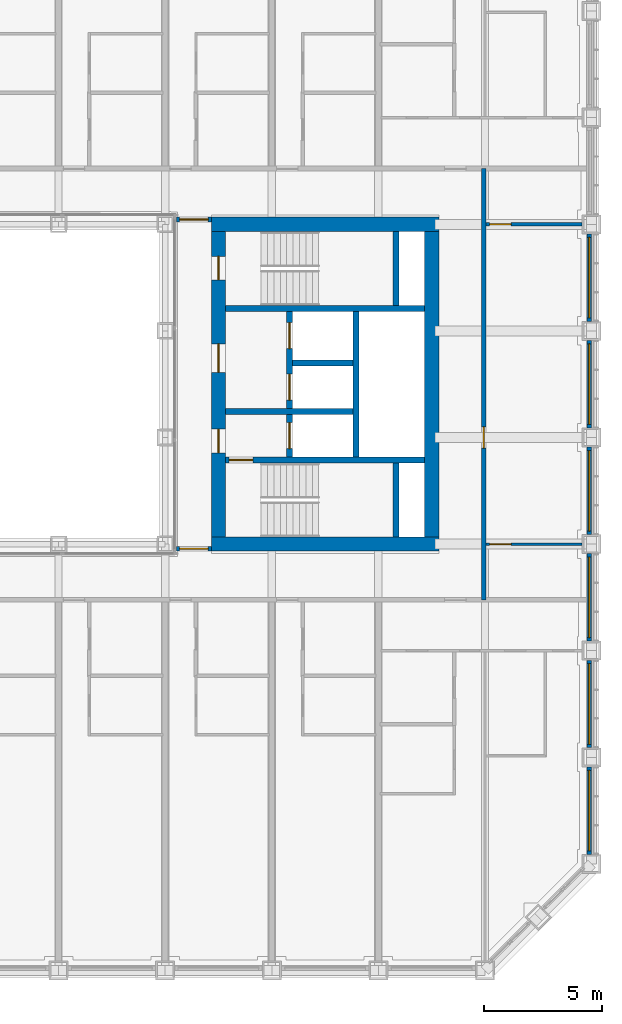
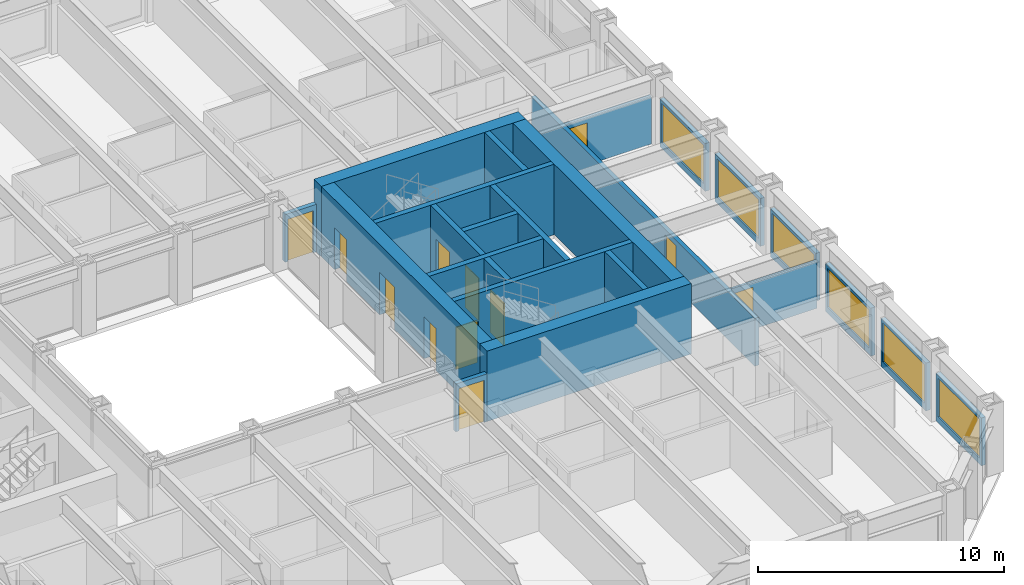
# One storey, part 12 of 21: 23 walls, 12 doors, 6 windows, 18 openings.
"""IFC4 building model written with IfcOpenShell, lengths in metres."""

import ifcopenshell
import ifcopenshell.guid

model = None  # the IFC model being written
_history = None  # IfcOwnerHistory: only IFC2X3 demands one
_inside = {}  # id of a spatial element -> (the spatial element, [elements in it])
_under = {}  # id of a project, library or spatial element -> (it, [spatial elements below it])
_declared = {}  # id of a project -> (the project, [libraries it declares])
_typed = {}  # id of a type object -> (the type object, [elements of that type])
_made_of = {}  # id of a material, layer set ... -> (it, [elements and type objects made of it])


def new_model(schema):
    """Start an empty IFC model of exactly this schema.

    Asked for "IFC4X3", IfcOpenShell would pick the latest addendum, in which some entities
    have other attributes; the version numbers below select the first issue.
    IFC2X3 requires an IfcOwnerHistory on every rooted entity: one is made here for all.
    """
    global model, _history
    if schema == "IFC4X3":
        model = ifcopenshell.file(schema_version=(4, 3, 0, 0))
    else:
        model = ifcopenshell.file(schema=schema)
    _inside.clear()
    _under.clear()
    _declared.clear()
    _typed.clear()
    _made_of.clear()
    _history = None
    if model.schema == "IFC2X3":
        org = make("IfcOrganization", Name="unknown")
        user = make(
            "IfcPersonAndOrganization",
            ThePerson=make("IfcPerson", FamilyName="unknown"),
            TheOrganization=org,
        )
        app = make(
            "IfcApplication",
            ApplicationDeveloper=org,
            Version="unknown",
            ApplicationFullName="unknown",
            ApplicationIdentifier="unknown",
        )
        _history = make(
            "IfcOwnerHistory",
            OwningUser=user,
            OwningApplication=app,
            ChangeAction="ADDED",
            CreationDate=0,
        )
    return model


def make(cls, **values):
    """One entity of the class cls with the attributes given. An attribute that is None is left unset."""
    return model.create_entity(
        cls, **{name: value for name, value in values.items() if value is not None}
    )


def rooted(cls, **values):
    """An entity with a GlobalId (a new one), such as an element, a storey or a relation."""
    return make(cls, GlobalId=ifcopenshell.guid.new(), OwnerHistory=_history, **values)


def si_unit(unit_type, name, prefix=None):
    """IfcSIUnit, for example si_unit("LENGTHUNIT", "METRE", prefix="MILLI")."""
    return make("IfcSIUnit", UnitType=unit_type, Prefix=prefix, Name=name)


def assignment(units):
    """IfcUnitAssignment: the units of a project."""
    return None if units is None else make("IfcUnitAssignment", Units=units)


def point(xyz):
    """IfcCartesianPoint."""
    return None if xyz is None else make("IfcCartesianPoint", Coordinates=xyz)


def direction(xyz):
    """IfcDirection."""
    return None if xyz is None else make("IfcDirection", DirectionRatios=xyz)


def frame(location, z_axis=None, x_axis=None):
    """IfcAxis2Placement3D, a coordinate frame: its origin and axes. An axis left out is left unset."""
    return make(
        "IfcAxis2Placement3D",
        Location=point(location),
        Axis=direction(z_axis),
        RefDirection=direction(x_axis),
    )


def frame_2d(location, x_axis=None):
    """IfcAxis2Placement2D, a coordinate frame in the plane: its origin and x axis."""
    return make(
        "IfcAxis2Placement2D", Location=point(location), RefDirection=direction(x_axis)
    )


def origin():
    """The frame at (0, 0, 0) with its axes left unset."""
    return frame((0.0, 0.0, 0.0))


def place(relative_to, where):
    """IfcLocalPlacement: puts the frame where relative to a parent placement (None: the world)."""
    return make(
        "IfcLocalPlacement", PlacementRelTo=relative_to, RelativePlacement=where
    )


def context(
    kind, dimensions, precision=None, world=None, true_north=None, identifier=None
):
    """IfcGeometricRepresentationContext, for example the 3D "Model" context."""
    return make(
        "IfcGeometricRepresentationContext",
        ContextIdentifier=identifier,
        ContextType=kind,
        CoordinateSpaceDimension=dimensions,
        Precision=precision,
        WorldCoordinateSystem=world,
        TrueNorth=true_north,
    )


def subcontext(parent, identifier, kind, view, scale=None):
    """IfcGeometricRepresentationSubContext, for example "Body" below "Model"."""
    return make(
        "IfcGeometricRepresentationSubContext",
        ContextIdentifier=identifier,
        ContextType=kind,
        ParentContext=parent,
        TargetScale=scale,
        TargetView=view,
    )


def project(units=None, contexts=None):
    """IfcProject with its units and contexts."""
    return rooted(
        "IfcProject",
        Name="project",
        RepresentationContexts=contexts,
        UnitsInContext=assignment(units),
    )


def spatial(cls, under=None, at=None, **own):
    """A site, building, storey or space (cls), placed at a placement, below another one or the project."""
    s = rooted(cls, ObjectPlacement=at, **own)
    if under is not None:
        _under.setdefault(under.id(), (under, []))[1].append(s)
    return s


def profile(cls, at=None, kind="AREA", **sizes):
    """A parametric profile (cls). Its sizes go by their IFC names, for example OverallWidth=200.0."""
    return make(cls, ProfileType=kind, Position=at, **sizes)


def rectangle(**sizes):
    """IfcRectangleProfileDef."""
    return profile("IfcRectangleProfileDef", **sizes)


def extrude(swept, where, along, depth):
    """IfcExtrudedAreaSolid: the profile swept, set in the frame where, extruded along a direction by depth."""
    return make(
        "IfcExtrudedAreaSolid",
        SweptArea=swept,
        Position=where,
        ExtrudedDirection=direction(along),
        Depth=depth,
    )


def shape(context_of_items, identifier, shape_type, items):
    """IfcShapeRepresentation: the items that make up one representation, for example the "Body"."""
    return make(
        "IfcShapeRepresentation",
        ContextOfItems=context_of_items,
        RepresentationIdentifier=identifier,
        RepresentationType=shape_type,
        Items=items,
    )


def material(Name=None, Category=None):
    """IfcMaterial."""
    return make("IfcMaterial", Name=Name, Category=Category)


def layer(
    of_material, thickness, ventilated=None, Name=None, Category=None, Priority=None
):
    """IfcMaterialLayer: one layer of a wall or slab, of a material (None: an air gap)."""
    return make(
        "IfcMaterialLayer",
        Material=of_material,
        LayerThickness=thickness,
        IsVentilated=ventilated,
        Name=Name,
        Category=Category,
        Priority=Priority,
    )


def layer_set(layers, Name=None):
    """IfcMaterialLayerSet."""
    return make("IfcMaterialLayerSet", MaterialLayers=layers, LayerSetName=Name)


def made_of(thing, what):
    """Note that an element or type object is made of a material, layer set ...; save() writes the relation."""
    if what is not None:
        _made_of.setdefault(what.id(), (what, []))[1].append(thing)
    return thing


def type_object(cls, material=None, **own):
    """A type object (cls), such as IfcWallType, which elements share."""
    return made_of(rooted(cls, **own), material)


def element(
    cls,
    number,
    at=None,
    inside=None,
    cuts=None,
    type_object=None,
    material=None,
    context=None,
    identifier="Body",
    shape_type=None,
    held_by="IfcProductDefinitionShape",
    body=None,
    shapes=None,
    **own,
):
    """One element of the class cls, such as IfcWall. Its Tag is "e" and its number.

    at: its placement. inside: the storey or other place that contains it. cuts: it is an
    opening in that element (IfcRelVoidsElement). A single representation is given by context,
    identifier, shape_type and body (its items); several are given by shapes. held_by: the class
    of the entity that holds the representations. save() writes the other relations.
    """
    e = rooted(cls, Tag="e%d" % number, ObjectPlacement=at, **own)
    if body is not None:
        shapes = [shape(context, identifier, shape_type, body)]
    if shapes is not None:
        e.Representation = make(held_by, Representations=shapes)
    if inside is not None:
        _inside.setdefault(inside.id(), (inside, []))[1].append(e)
    if cuts is not None:
        rooted(
            "IfcRelVoidsElement", RelatingBuildingElement=cuts, RelatedOpeningElement=e
        )
    if type_object is not None:
        _typed.setdefault(type_object.id(), (type_object, []))[1].append(e)
    return made_of(e, material)


def fill(opening, filler):
    """IfcRelFillsElement: the door or window that sits in an opening."""
    return rooted(
        "IfcRelFillsElement",
        RelatingOpeningElement=opening,
        RelatedBuildingElement=filler,
    )


def aggregate(whole, parts):
    """IfcRelAggregates: a whole, such as a stair, and the parts it consists of."""
    return rooted("IfcRelAggregates", RelatingObject=whole, RelatedObjects=parts)


def save(model, path):
    """Write the relations noted so far, then the file.

    IfcRelAggregates (storeys below a building ...), IfcRelContainedInSpatialStructure (elements
    in a storey), IfcRelDefinesByType, IfcRelAssociatesMaterial and IfcRelDeclares: one each for
    every whole, place, type object, material and project.
    """
    for whole, parts in _under.values():
        aggregate(whole, parts)
    for where, things in _inside.values():
        rooted(
            "IfcRelContainedInSpatialStructure",
            RelatedElements=things,
            RelatingStructure=where,
        )
    for kind, things in _typed.values():
        rooted("IfcRelDefinesByType", RelatedObjects=things, RelatingType=kind)
    for what, things in _made_of.values():
        rooted("IfcRelAssociatesMaterial", RelatedObjects=things, RelatingMaterial=what)
    for by, libraries in _declared.values():
        rooted("IfcRelDeclares", RelatingContext=by, RelatedDefinitions=libraries)
    model.write(path)


model = new_model("IFC4")

# Units and contexts
model_context = context("Model", 3, precision=1e-05, world=origin(), true_north=direction((0.0, 1.0)))
body_context = subcontext(model_context, "Body", "Model", "MODEL_VIEW")
ifc_project = project(units=[si_unit("LENGTHUNIT", "METRE"), si_unit("AREAUNIT", "SQUARE_METRE"), si_unit("VOLUMEUNIT", "CUBIC_METRE"), si_unit("PLANEANGLEUNIT", "RADIAN"), si_unit("MASSUNIT", "GRAM", prefix="KILO")], contexts=[model_context])

# Site, building, storey
site_placement = place(None, origin())
site = spatial("IfcSite", under=ifc_project, at=site_placement, CompositionType="ELEMENT")
building_placement = place(site_placement, origin())
building = spatial("IfcBuilding", under=site, at=building_placement, Name="Msasa Ring Tower", CompositionType="ELEMENT")
storey_placement = place(building_placement, frame((0.0, 0.0, 33.5)))
storey = spatial("IfcBuildingStorey", under=building, at=storey_placement, Name="L07", CompositionType="ELEMENT", Elevation=33.5)

# Walls
ifc_material_1 = material(Name="Concrete C60/75", Category="concrete")
ifc_layer_1 = layer(ifc_material_1, 0.60009765625)
ifc_layer_set_1 = layer_set([ifc_layer_1], Name="CW1 CORE WALL 600")
wall_type_1 = type_object("IfcWallType", Name="CW1 CORE WALL 600", PredefinedType="SHEAR", material=ifc_layer_set_1)
for number, where, z_axis, x_axis, name in (
    (1, (8.699951171875, -6.75, 0.0), (0.0, 0.0, 1.0), (1.0, 0.0, 0.0), "E core wall S L07"),
    (2, (8.699951171875, 6.75, 0.0), (0.0, 0.0, 1.0), (1.0, 0.0, 0.0), "E core wall N L07"),
):
    element("IfcWall", number, at=place(storey_placement, frame(where, z_axis=z_axis, x_axis=x_axis)), inside=storey, type_object=wall_type_1, Name=name, PredefinedType="SHEAR", context=body_context, shape_type="SweptSolid", body=[
        extrude(rectangle(XDim=9.60009765625, YDim=0.60009765625, at=frame_2d((4.800048828125, 0.0))), origin(), (0.0, 0.0, 1.0), 3.5),
    ])

# Wall, openings, doors
wall_1_placement = place(storey_placement, frame((9.0, -6.449951171875, 0.0), z_axis=(0.0, 0.0, 1.0), x_axis=(0.0, 1.0, 0.0)))
wall_1 = element("IfcWall", 3, at=wall_1_placement, inside=storey, type_object=wall_type_1, Name="E core wall W L07", PredefinedType="SHEAR", context=body_context, shape_type="SweptSolid", body=[
    extrude(rectangle(XDim=12.89990234375, YDim=0.60009765625, at=frame_2d((6.449951171875, 0.0))), origin(), (0.0, 0.0, 1.0), 3.5),
])
opening_1_placement = place(wall_1_placement, frame((3.550048828125, 0.0, 0.0)))
opening_1 = element("IfcOpeningElement", 4, at=opening_1_placement, cuts=wall_1, Name="Opening RA-046", PredefinedType="OPENING", context=body_context, shape_type="SweptSolid", body=[
    extrude(rectangle(XDim=1.0, YDim=2.10009765625, at=frame_2d((0.5, 1.050048828125))), frame((0.0, 0.31005859375, 0.0), z_axis=(0.0, -1.0, 0.0), x_axis=(1.0, 0.0, 0.0)), (0.0, 0.0, 1.0), 0.6201171875),
])
opening_2_placement = place(wall_1_placement, frame((6.949951171875, 0.0, 0.0)))
opening_2 = element("IfcOpeningElement", 5, at=opening_2_placement, cuts=wall_1, Name="Opening RA-041", PredefinedType="OPENING", context=body_context, shape_type="SweptSolid", body=[
    extrude(rectangle(XDim=1.199951171875, YDim=2.10009765625, at=frame_2d((0.60009765625, 1.050048828125))), frame((0.0, 0.31005859375, 0.0), z_axis=(0.0, -1.0, 0.0), x_axis=(1.0, 0.0, 0.0)), (0.0, 0.0, 1.0), 0.6201171875),
])
opening_3_placement = place(wall_1_placement, frame((10.85009765625, 0.0, 0.0)))
opening_3 = element("IfcOpeningElement", 6, at=opening_3_placement, cuts=wall_1, Name="Opening RA-039", PredefinedType="OPENING", context=body_context, shape_type="SweptSolid", body=[
    extrude(rectangle(XDim=1.0, YDim=2.10009765625, at=frame_2d((0.5, 1.050048828125))), frame((0.0, 0.31005859375, 0.0), z_axis=(0.0, -1.0, 0.0), x_axis=(1.0, 0.0, 0.0)), (0.0, 0.0, 1.0), 0.6201171875),
])
ifc_material_2 = material(Name="Timber door leaf in a steel frame", Category="steel")
door_type_1 = type_object("IfcDoorType", Name="D4 LOBBY DOOR 1000x2100", OperationType="SINGLE_SWING_LEFT", PredefinedType="DOOR", material=ifc_material_2)
door_1_placement = place(opening_1_placement, origin())
door_1 = element("IfcDoor", 7, at=door_1_placement, inside=storey, type_object=door_type_1, Name="Door L07-EFFL", OperationType="SINGLE_SWING_LEFT", OverallHeight=2.10009765625, OverallWidth=1.0, PredefinedType="DOOR", context=body_context, shape_type="SweptSolid", body=[
    extrude(rectangle(XDim=1.0, YDim=2.10009765625, at=frame_2d((0.5, 1.050048828125))), frame((0.0, 0.02490234375, 0.0), z_axis=(0.0, -1.0, 0.0), x_axis=(1.0, 0.0, 0.0)), (0.0, 0.0, 1.0), 0.050048828125),
])
fill(opening_1, door_1)
ifc_material_3 = material(Name="Timber door leaf in a steel frame", Category="steel")
door_type_2 = type_object("IfcDoorType", Name="D5 WIDE LOBBY DOOR 1200x2100", OperationType="SINGLE_SWING_LEFT", PredefinedType="DOOR", material=ifc_material_3)
door_2_placement = place(opening_2_placement, origin())
door_2 = element("IfcDoor", 8, at=door_2_placement, inside=storey, type_object=door_type_2, Name="Door L07-ELL", OperationType="SINGLE_SWING_RIGHT", OverallHeight=2.10009765625, OverallWidth=1.199951171875, PredefinedType="DOOR", context=body_context, shape_type="SweptSolid", body=[
    extrude(rectangle(XDim=1.199951171875, YDim=2.10009765625, at=frame_2d((0.60009765625, 1.050048828125))), frame((0.0, 0.02490234375, 0.0), z_axis=(0.0, -1.0, 0.0), x_axis=(1.0, 0.0, 0.0)), (0.0, 0.0, 1.0), 0.050048828125),
])
fill(opening_2, door_2)
ifc_material_4 = material(Name="Timber door leaf in a steel frame", Category="steel")
door_type_3 = type_object("IfcDoorType", Name="D6 STAIR DOOR 1000x2100", OperationType="SINGLE_SWING_LEFT", PredefinedType="DOOR", material=ifc_material_4)
door_3_placement = place(opening_3_placement, origin())
door_3 = element("IfcDoor", 9, at=door_3_placement, inside=storey, type_object=door_type_3, Name="Door L07-ESTB", OperationType="SINGLE_SWING_RIGHT", OverallHeight=2.10009765625, OverallWidth=1.0, PredefinedType="DOOR", context=body_context, shape_type="SweptSolid", body=[
    extrude(rectangle(XDim=1.0, YDim=2.10009765625, at=frame_2d((0.5, 1.050048828125))), frame((0.0, 0.02490234375, 0.0), z_axis=(0.0, -1.0, 0.0), x_axis=(1.0, 0.0, 0.0)), (0.0, 0.0, 1.0), 0.050048828125),
])
fill(opening_3, door_3)

# Wall
wall_2_placement = place(storey_placement, frame((18.0, -6.449951171875, 0.0), z_axis=(0.0, 0.0, 1.0), x_axis=(0.0, 1.0, 0.0)))
element("IfcWall", 10, at=wall_2_placement, inside=storey, type_object=wall_type_1, Name="E core wall E L07", PredefinedType="SHEAR", context=body_context, shape_type="SweptSolid", body=[
    extrude(rectangle(XDim=12.89990234375, YDim=0.60009765625, at=frame_2d((6.449951171875, 0.0))), origin(), (0.0, 0.0, 1.0), 3.5),
])

# Wall, opening, door
ifc_material_5 = material(Name="Concrete C60/75", Category="concrete")
ifc_layer_2 = layer(ifc_material_5, 0.25)
ifc_layer_set_2 = layer_set([ifc_layer_2], Name="CW4 CORE INNER WALL 250")
wall_type_2 = type_object("IfcWallType", Name="CW4 CORE INNER WALL 250", PredefinedType="SHEAR", material=ifc_layer_set_2)
wall_3_placement = place(storey_placement, frame((9.300048828125, -3.199951171875, 0.0), z_axis=(0.0, 0.0, 1.0), x_axis=(1.0, 0.0, 0.0)))
wall_3 = element("IfcWall", 11, at=wall_3_placement, inside=storey, type_object=wall_type_2, Name="E core wall STAIRA L07", PredefinedType="SHEAR", context=body_context, shape_type="SweptSolid", body=[
    extrude(rectangle(XDim=8.39990234375, YDim=0.25, at=frame_2d((4.199951171875, 0.0))), origin(), (0.0, 0.0, 1.0), 3.5),
])
opening_4_placement = place(wall_3_placement, frame((0.14990234375, 0.0, 0.0)))
opening_4 = element("IfcOpeningElement", 12, at=opening_4_placement, cuts=wall_3, Name="Opening RA-048", PredefinedType="OPENING", context=body_context, shape_type="SweptSolid", body=[
    extrude(rectangle(XDim=1.0, YDim=2.10009765625, at=frame_2d((0.5, 1.050048828125))), frame((0.0, 0.135009765625, 0.0), z_axis=(0.0, -1.0, 0.0), x_axis=(1.0, 0.0, 0.0)), (0.0, 0.0, 1.0), 0.27001953125),
])
door_4_placement = place(opening_4_placement, origin())
door_4 = element("IfcDoor", 13, at=door_4_placement, inside=storey, type_object=door_type_3, Name="Door L07-ESTA", OperationType="SINGLE_SWING_LEFT", OverallHeight=2.10009765625, OverallWidth=1.0, PredefinedType="DOOR", context=body_context, shape_type="SweptSolid", body=[
    extrude(rectangle(XDim=1.0, YDim=2.10009765625, at=frame_2d((0.5, 1.050048828125))), frame((0.0, 0.02490234375, 0.0), z_axis=(0.0, -1.0, 0.0), x_axis=(1.0, 0.0, 0.0)), (0.0, 0.0, 1.0), 0.050048828125),
])
fill(opening_4, door_4)

# Walls
wall_4_placement = place(storey_placement, frame((9.300048828125, 3.199951171875, 0.0), z_axis=(0.0, 0.0, 1.0), x_axis=(1.0, 0.0, 0.0)))
element("IfcWall", 14, at=wall_4_placement, inside=storey, type_object=wall_type_2, Name="E core wall STAIRB L07", PredefinedType="SHEAR", context=body_context, shape_type="SweptSolid", body=[
    extrude(rectangle(XDim=8.39990234375, YDim=0.25, at=frame_2d((4.199951171875, 0.0))), origin(), (0.0, 0.0, 1.0), 3.5),
])
for number, where, z_axis, x_axis, name in (
    (15, (16.5, -6.449951171875, 0.0), (0.0, 0.0, 1.0), (0.0, 1.0, 0.0), "E core wall RISERA L07"),
    (16, (16.5, 3.324951171875, 0.0), (0.0, 0.0, 1.0), (0.0, 1.0, 0.0), "E core wall RISERB L07"),
):
    element("IfcWall", number, at=place(storey_placement, frame(where, z_axis=z_axis, x_axis=x_axis)), inside=storey, type_object=wall_type_2, Name=name, PredefinedType="SHEAR", context=body_context, shape_type="SweptSolid", body=[
        extrude(rectangle(XDim=3.125, YDim=0.25, at=frame_2d((1.5625, 0.0))), origin(), (0.0, 0.0, 1.0), 3.5),
    ])
wall_5_placement = place(storey_placement, frame((9.300048828125, -1.14990234375, 0.0), z_axis=(0.0, 0.0, 1.0), x_axis=(1.0, 0.0, 0.0)))
element("IfcWall", 17, at=wall_5_placement, inside=storey, type_object=wall_type_2, Name="E core wall FFL L07", PredefinedType="SHEAR", context=body_context, shape_type="SweptSolid", body=[
    extrude(rectangle(XDim=5.375, YDim=0.25, at=frame_2d((2.6875, 0.0))), origin(), (0.0, 0.0, 1.0), 3.5),
])

# Wall, openings, doors
wall_6_placement = place(storey_placement, frame((12.0, -3.074951171875, 0.0), z_axis=(0.0, 0.0, 1.0), x_axis=(0.0, 1.0, 0.0)))
wall_6 = element("IfcWall", 18, at=wall_6_placement, inside=storey, type_object=wall_type_2, Name="E core wall LOBBY L07", PredefinedType="SHEAR", context=body_context, shape_type="SweptSolid", body=[
    extrude(rectangle(XDim=6.14990234375, YDim=0.25, at=frame_2d((3.074951171875, 0.0))), origin(), (0.0, 0.0, 1.0), 3.5),
])
opening_5_placement = place(wall_6_placement, frame((0.35009765625, 0.0, 0.0)))
opening_5 = element("IfcOpeningElement", 19, at=opening_5_placement, cuts=wall_6, Name="Opening LD1", PredefinedType="OPENING", context=body_context, shape_type="SweptSolid", body=[
    extrude(rectangle(XDim=1.10009765625, YDim=2.10009765625, at=frame_2d((0.550048828125, 1.050048828125))), frame((0.0, 0.135009765625, 0.0), z_axis=(0.0, -1.0, 0.0), x_axis=(1.0, 0.0, 0.0)), (0.0, 0.0, 1.0), 0.27001953125),
])
opening_6_placement = place(wall_6_placement, frame((2.39990234375, 0.0, 0.0)))
opening_6 = element("IfcOpeningElement", 20, at=opening_6_placement, cuts=wall_6, Name="Opening LD1", PredefinedType="OPENING", context=body_context, shape_type="SweptSolid", body=[
    extrude(rectangle(XDim=1.10009765625, YDim=2.10009765625, at=frame_2d((0.550048828125, 1.050048828125))), frame((0.0, 0.135009765625, 0.0), z_axis=(0.0, -1.0, 0.0), x_axis=(1.0, 0.0, 0.0)), (0.0, 0.0, 1.0), 0.27001953125),
])
opening_7_placement = place(wall_6_placement, frame((4.574951171875, 0.0, 0.0)))
opening_7 = element("IfcOpeningElement", 21, at=opening_7_placement, cuts=wall_6, Name="Opening LD1", PredefinedType="OPENING", context=body_context, shape_type="SweptSolid", body=[
    extrude(rectangle(XDim=1.10009765625, YDim=2.10009765625, at=frame_2d((0.550048828125, 1.050048828125))), frame((0.0, 0.135009765625, 0.0), z_axis=(0.0, -1.0, 0.0), x_axis=(1.0, 0.0, 0.0)), (0.0, 0.0, 1.0), 0.27001953125),
])
ifc_material_6 = material(Name="Stainless steel lift landing door", Category="steel")
door_type_4 = type_object("IfcDoorType", Name="LD1 LIFT LANDING DOOR 1100x2100", OperationType="DOUBLE_DOOR_SLIDING", PredefinedType="DOOR", material=ifc_material_6)
door_5_placement = place(opening_5_placement, origin())
door_5 = element("IfcDoor", 22, at=door_5_placement, inside=storey, type_object=door_type_4, Name="Lift landing door FL-E L07", OperationType="DOUBLE_DOOR_SLIDING", OverallHeight=2.10009765625, OverallWidth=1.10009765625, PredefinedType="DOOR", context=body_context, shape_type="SweptSolid", body=[
    extrude(rectangle(XDim=1.10009765625, YDim=2.10009765625, at=frame_2d((0.550048828125, 1.050048828125))), frame((0.0, 0.02490234375, 0.0), z_axis=(0.0, -1.0, 0.0), x_axis=(1.0, 0.0, 0.0)), (0.0, 0.0, 1.0), 0.050048828125),
])
fill(opening_5, door_5)
door_6_placement = place(opening_6_placement, origin())
door_6 = element("IfcDoor", 23, at=door_6_placement, inside=storey, type_object=door_type_4, Name="Lift landing door PL-R1 L07", OperationType="DOUBLE_DOOR_SLIDING", OverallHeight=2.10009765625, OverallWidth=1.10009765625, PredefinedType="DOOR", context=body_context, shape_type="SweptSolid", body=[
    extrude(rectangle(XDim=1.10009765625, YDim=2.10009765625, at=frame_2d((0.550048828125, 1.050048828125))), frame((0.0, 0.02490234375, 0.0), z_axis=(0.0, -1.0, 0.0), x_axis=(1.0, 0.0, 0.0)), (0.0, 0.0, 1.0), 0.050048828125),
])
fill(opening_6, door_6)
door_7_placement = place(opening_7_placement, origin())
door_7 = element("IfcDoor", 24, at=door_7_placement, inside=storey, type_object=door_type_4, Name="Lift landing door PL-R2 L07", OperationType="DOUBLE_DOOR_SLIDING", OverallHeight=2.10009765625, OverallWidth=1.10009765625, PredefinedType="DOOR", context=body_context, shape_type="SweptSolid", body=[
    extrude(rectangle(XDim=1.10009765625, YDim=2.10009765625, at=frame_2d((0.550048828125, 1.050048828125))), frame((0.0, 0.02490234375, 0.0), z_axis=(0.0, -1.0, 0.0), x_axis=(1.0, 0.0, 0.0)), (0.0, 0.0, 1.0), 0.050048828125),
])
fill(opening_7, door_7)

# Walls
wall_7_placement = place(storey_placement, frame((14.800048828125, -3.074951171875, 0.0), z_axis=(0.0, 0.0, 1.0), x_axis=(0.0, 1.0, 0.0)))
element("IfcWall", 25, at=wall_7_placement, inside=storey, type_object=wall_type_2, Name="E core wall SHAFT L07", PredefinedType="SHEAR", context=body_context, shape_type="SweptSolid", body=[
    extrude(rectangle(XDim=6.14990234375, YDim=0.25, at=frame_2d((3.074951171875, 0.0))), origin(), (0.0, 0.0, 1.0), 3.5),
])
wall_8_placement = place(storey_placement, frame((12.125, 0.89990234375, 0.0), z_axis=(0.0, 0.0, 1.0), x_axis=(1.0, 0.0, 0.0)))
element("IfcWall", 26, at=wall_8_placement, inside=storey, type_object=wall_type_2, Name="E core wall LIFT1 L07", PredefinedType="SHEAR", context=body_context, shape_type="SweptSolid", body=[
    extrude(rectangle(XDim=2.550048828125, YDim=0.25, at=frame_2d((1.27490234375, 0.0))), origin(), (0.0, 0.0, 1.0), 3.5),
])

# Wall, opening, window
ifc_material_7 = material(Name="Terracotta rainscreen on blockwork", Category="masonry")
ifc_layer_3 = layer(ifc_material_7, 0.199951171875)
ifc_layer_set_3 = layer_set([ifc_layer_3], Name="FW1 TERRACOTTA-LINED INFILL BAY WALL 200")
wall_type_3 = type_object("IfcWallType", Name="FW1 TERRACOTTA-LINED INFILL BAY WALL 200", PredefinedType="SOLIDWALL", material=ifc_layer_set_3)
wall_9_placement = place(storey_placement, frame((24.64990234375, -19.844970703125, 0.0), z_axis=(0.0, 0.0, 1.0), x_axis=(0.0, 1.0, 0.0)))
wall_9 = element("IfcWall", 27, at=wall_9_placement, inside=storey, type_object=wall_type_3, Name="Infill bay wall E L07 11", PredefinedType="SOLIDWALL", context=body_context, shape_type="SweptSolid", body=[
    extrude(rectangle(XDim=3.68994140625, YDim=0.199951171875, at=frame_2d((1.844970703125, 0.0))), origin(), (0.0, 0.0, 1.0), 2.37890625),
])
opening_8_placement = place(wall_9_placement, frame((0.14501953125, 0.0, 0.300048828125)))
opening_8 = element("IfcOpeningElement", 28, at=opening_8_placement, cuts=wall_9, Name="Opening WN1", PredefinedType="OPENING", context=body_context, shape_type="SweptSolid", body=[
    extrude(rectangle(XDim=3.39990234375, YDim=1.928955078125, at=frame_2d((1.699951171875, 0.96435546875))), frame((0.0, 0.10986328125, 0.0), z_axis=(0.0, -1.0, 0.0), x_axis=(1.0, 0.0, 0.0)), (0.0, 0.0, 1.0), 0.219970703125),
])
ifc_material_8 = material(Name="Aluminium frame with clear glass", Category="aluminium")
window_type = type_object("IfcWindowType", Name="WN1 RESIDENCE WINDOW 3400x1929", PartitioningType="SINGLE_PANEL", PredefinedType="WINDOW", material=ifc_material_8)
window_1_placement = place(opening_8_placement, origin())
window_1 = element("IfcWindow", 29, at=window_1_placement, inside=storey, type_object=window_type, Name="Window E L07 11", OverallHeight=1.928955078125, OverallWidth=3.39990234375, PartitioningType="SINGLE_PANEL", PredefinedType="WINDOW", context=body_context, shape_type="SweptSolid", body=[
    extrude(rectangle(XDim=3.39990234375, YDim=1.928955078125, at=frame_2d((1.699951171875, 0.96435546875))), frame((0.0, 0.030029296875, 0.0), z_axis=(0.0, -1.0, 0.0), x_axis=(1.0, 0.0, 0.0)), (0.0, 0.0, 1.0), 0.06005859375),
])
fill(opening_8, window_1)

wall_10_placement = place(storey_placement, frame((24.64990234375, -15.344970703125, 0.0), z_axis=(0.0, 0.0, 1.0), x_axis=(0.0, 1.0, 0.0)))
wall_10 = element("IfcWall", 30, at=wall_10_placement, inside=storey, type_object=wall_type_3, Name="Infill bay wall E L07 12", PredefinedType="SOLIDWALL", context=body_context, shape_type="SweptSolid", body=[
    extrude(rectangle(XDim=3.68994140625, YDim=0.199951171875, at=frame_2d((1.844970703125, 0.0))), origin(), (0.0, 0.0, 1.0), 2.37890625),
])
opening_9_placement = place(wall_10_placement, frame((0.14501953125, 0.0, 0.300048828125)))
opening_9 = element("IfcOpeningElement", 31, at=opening_9_placement, cuts=wall_10, Name="Opening WN1", PredefinedType="OPENING", context=body_context, shape_type="SweptSolid", body=[
    extrude(rectangle(XDim=3.39990234375, YDim=1.928955078125, at=frame_2d((1.699951171875, 0.96435546875))), frame((0.0, 0.10986328125, 0.0), z_axis=(0.0, -1.0, 0.0), x_axis=(1.0, 0.0, 0.0)), (0.0, 0.0, 1.0), 0.219970703125),
])
window_2_placement = place(opening_9_placement, origin())
window_2 = element("IfcWindow", 32, at=window_2_placement, inside=storey, type_object=window_type, Name="Window E L07 12", OverallHeight=1.928955078125, OverallWidth=3.39990234375, PartitioningType="SINGLE_PANEL", PredefinedType="WINDOW", context=body_context, shape_type="SweptSolid", body=[
    extrude(rectangle(XDim=3.39990234375, YDim=1.928955078125, at=frame_2d((1.699951171875, 0.96435546875))), frame((0.0, 0.030029296875, 0.0), z_axis=(0.0, -1.0, 0.0), x_axis=(1.0, 0.0, 0.0)), (0.0, 0.0, 1.0), 0.06005859375),
])
fill(opening_9, window_2)

wall_11_placement = place(storey_placement, frame((24.64990234375, -10.844970703125, 0.0), z_axis=(0.0, 0.0, 1.0), x_axis=(0.0, 1.0, 0.0)))
wall_11 = element("IfcWall", 33, at=wall_11_placement, inside=storey, type_object=wall_type_3, Name="Infill bay wall E L07 13", PredefinedType="SOLIDWALL", context=body_context, shape_type="SweptSolid", body=[
    extrude(rectangle(XDim=3.68994140625, YDim=0.199951171875, at=frame_2d((1.844970703125, 0.0))), origin(), (0.0, 0.0, 1.0), 2.37890625),
])
opening_10_placement = place(wall_11_placement, frame((0.14501953125, 0.0, 0.300048828125)))
opening_10 = element("IfcOpeningElement", 34, at=opening_10_placement, cuts=wall_11, Name="Opening WN1", PredefinedType="OPENING", context=body_context, shape_type="SweptSolid", body=[
    extrude(rectangle(XDim=3.39990234375, YDim=1.928955078125, at=frame_2d((1.699951171875, 0.96435546875))), frame((0.0, 0.10986328125, 0.0), z_axis=(0.0, -1.0, 0.0), x_axis=(1.0, 0.0, 0.0)), (0.0, 0.0, 1.0), 0.219970703125),
])
window_3_placement = place(opening_10_placement, origin())
window_3 = element("IfcWindow", 35, at=window_3_placement, inside=storey, type_object=window_type, Name="Window E L07 13", OverallHeight=1.928955078125, OverallWidth=3.39990234375, PartitioningType="SINGLE_PANEL", PredefinedType="WINDOW", context=body_context, shape_type="SweptSolid", body=[
    extrude(rectangle(XDim=3.39990234375, YDim=1.928955078125, at=frame_2d((1.699951171875, 0.96435546875))), frame((0.0, 0.030029296875, 0.0), z_axis=(0.0, -1.0, 0.0), x_axis=(1.0, 0.0, 0.0)), (0.0, 0.0, 1.0), 0.06005859375),
])
fill(opening_10, window_3)

wall_12_placement = place(storey_placement, frame((24.64990234375, -6.344970703125, 0.0), z_axis=(0.0, 0.0, 1.0), x_axis=(0.0, 1.0, 0.0)))
wall_12 = element("IfcWall", 36, at=wall_12_placement, inside=storey, type_object=wall_type_3, Name="Infill bay wall E L07 14", PredefinedType="SOLIDWALL", context=body_context, shape_type="SweptSolid", body=[
    extrude(rectangle(XDim=3.68994140625, YDim=0.199951171875, at=frame_2d((1.844970703125, 0.0))), origin(), (0.0, 0.0, 1.0), 2.37890625),
])
opening_11_placement = place(wall_12_placement, frame((0.14501953125, 0.0, 0.300048828125)))
opening_11 = element("IfcOpeningElement", 37, at=opening_11_placement, cuts=wall_12, Name="Opening WN1", PredefinedType="OPENING", context=body_context, shape_type="SweptSolid", body=[
    extrude(rectangle(XDim=3.39990234375, YDim=1.928955078125, at=frame_2d((1.699951171875, 0.96435546875))), frame((0.0, 0.10986328125, 0.0), z_axis=(0.0, -1.0, 0.0), x_axis=(1.0, 0.0, 0.0)), (0.0, 0.0, 1.0), 0.219970703125),
])
window_4_placement = place(opening_11_placement, origin())
window_4 = element("IfcWindow", 38, at=window_4_placement, inside=storey, type_object=window_type, Name="Window E L07 14", OverallHeight=1.928955078125, OverallWidth=3.39990234375, PartitioningType="SINGLE_PANEL", PredefinedType="WINDOW", context=body_context, shape_type="SweptSolid", body=[
    extrude(rectangle(XDim=3.39990234375, YDim=1.928955078125, at=frame_2d((1.699951171875, 0.96435546875))), frame((0.0, 0.030029296875, 0.0), z_axis=(0.0, -1.0, 0.0), x_axis=(1.0, 0.0, 0.0)), (0.0, 0.0, 1.0), 0.06005859375),
])
fill(opening_11, window_4)

wall_13_placement = place(storey_placement, frame((24.64990234375, -1.844970703125, 0.0), z_axis=(0.0, 0.0, 1.0), x_axis=(0.0, 1.0, 0.0)))
wall_13 = element("IfcWall", 39, at=wall_13_placement, inside=storey, type_object=wall_type_3, Name="Infill bay wall E L07 15", PredefinedType="SOLIDWALL", context=body_context, shape_type="SweptSolid", body=[
    extrude(rectangle(XDim=3.68994140625, YDim=0.199951171875, at=frame_2d((1.844970703125, 0.0))), origin(), (0.0, 0.0, 1.0), 2.37890625),
])
opening_12_placement = place(wall_13_placement, frame((0.14501953125, 0.0, 0.300048828125)))
opening_12 = element("IfcOpeningElement", 40, at=opening_12_placement, cuts=wall_13, Name="Opening WN1", PredefinedType="OPENING", context=body_context, shape_type="SweptSolid", body=[
    extrude(rectangle(XDim=3.39990234375, YDim=1.928955078125, at=frame_2d((1.699951171875, 0.96435546875))), frame((0.0, 0.10986328125, 0.0), z_axis=(0.0, -1.0, 0.0), x_axis=(1.0, 0.0, 0.0)), (0.0, 0.0, 1.0), 0.219970703125),
])
window_5_placement = place(opening_12_placement, origin())
window_5 = element("IfcWindow", 41, at=window_5_placement, inside=storey, type_object=window_type, Name="Window E L07 15", OverallHeight=1.928955078125, OverallWidth=3.39990234375, PartitioningType="SINGLE_PANEL", PredefinedType="WINDOW", context=body_context, shape_type="SweptSolid", body=[
    extrude(rectangle(XDim=3.39990234375, YDim=1.928955078125, at=frame_2d((1.699951171875, 0.96435546875))), frame((0.0, 0.030029296875, 0.0), z_axis=(0.0, -1.0, 0.0), x_axis=(1.0, 0.0, 0.0)), (0.0, 0.0, 1.0), 0.06005859375),
])
fill(opening_12, window_5)

wall_14_placement = place(storey_placement, frame((24.64990234375, 2.655029296875, 0.0), z_axis=(0.0, 0.0, 1.0), x_axis=(0.0, 1.0, 0.0)))
wall_14 = element("IfcWall", 42, at=wall_14_placement, inside=storey, type_object=wall_type_3, Name="Infill bay wall E L07 16", PredefinedType="SOLIDWALL", context=body_context, shape_type="SweptSolid", body=[
    extrude(rectangle(XDim=3.68994140625, YDim=0.199951171875, at=frame_2d((1.844970703125, 0.0))), origin(), (0.0, 0.0, 1.0), 2.37890625),
])
opening_13_placement = place(wall_14_placement, frame((0.14501953125, 0.0, 0.300048828125)))
opening_13 = element("IfcOpeningElement", 43, at=opening_13_placement, cuts=wall_14, Name="Opening WN1", PredefinedType="OPENING", context=body_context, shape_type="SweptSolid", body=[
    extrude(rectangle(XDim=3.39990234375, YDim=1.928955078125, at=frame_2d((1.699951171875, 0.96435546875))), frame((0.0, 0.10986328125, 0.0), z_axis=(0.0, -1.0, 0.0), x_axis=(1.0, 0.0, 0.0)), (0.0, 0.0, 1.0), 0.219970703125),
])
window_6_placement = place(opening_13_placement, origin())
window_6 = element("IfcWindow", 44, at=window_6_placement, inside=storey, type_object=window_type, Name="Window E L07 16", OverallHeight=1.928955078125, OverallWidth=3.39990234375, PartitioningType="SINGLE_PANEL", PredefinedType="WINDOW", context=body_context, shape_type="SweptSolid", body=[
    extrude(rectangle(XDim=3.39990234375, YDim=1.928955078125, at=frame_2d((1.699951171875, 0.96435546875))), frame((0.0, 0.030029296875, 0.0), z_axis=(0.0, -1.0, 0.0), x_axis=(1.0, 0.0, 0.0)), (0.0, 0.0, 1.0), 0.06005859375),
])
fill(opening_13, window_6)

# Wall, opening, door
ifc_material_9 = material(Name="Concrete blockwork", Category="masonry")
ifc_layer_4 = layer(ifc_material_9, 0.199951171875)
ifc_layer_set_4 = layer_set([ifc_layer_4], Name="PT1 CORRIDOR WALL 200")
wall_type_4 = type_object("IfcWallType", Name="PT1 CORRIDOR WALL 200", PredefinedType="PARTITIONING", material=ifc_layer_set_4)
wall_15_placement = place(storey_placement, frame((7.22998046875, 6.949951171875, 0.0), z_axis=(0.0, 0.0, 1.0), x_axis=(1.0, 0.0, 0.0)))
wall_15 = element("IfcWall", 45, at=wall_15_placement, inside=storey, type_object=wall_type_4, Name="Corridor wall L07-SDEN", PredefinedType="PARTITIONING", context=body_context, shape_type="SweptSolid", body=[
    extrude(rectangle(XDim=1.469970703125, YDim=0.199951171875, at=frame_2d((0.73486328125, 0.0))), origin(), (0.0, 0.0, 1.0), 2.373291015625),
])
opening_14_placement = place(wall_15_placement, frame((0.135009765625, 0.0, 0.0)))
opening_14 = element("IfcOpeningElement", 46, at=opening_14_placement, cuts=wall_15, Name="Opening RA-036", PredefinedType="OPENING", context=body_context, shape_type="SweptSolid", body=[
    extrude(rectangle(XDim=1.199951171875, YDim=2.10009765625, at=frame_2d((0.60009765625, 1.050048828125))), frame((0.0, 0.10986328125, 0.0), z_axis=(0.0, -1.0, 0.0), x_axis=(1.0, 0.0, 0.0)), (0.0, 0.0, 1.0), 0.219970703125),
])
ifc_material_10 = material(Name="Timber door leaf in a steel frame", Category="steel")
door_type_5 = type_object("IfcDoorType", Name="D25 CORRIDOR PAIR OF SMOKE DOORS 1200x2100", OperationType="DOUBLE_DOOR_DOUBLE_SWING", PredefinedType="DOOR", material=ifc_material_10)
door_8_placement = place(opening_14_placement, origin())
door_8 = element("IfcDoor", 47, at=door_8_placement, inside=storey, type_object=door_type_5, Name="Door L07-SDEN", OperationType="DOUBLE_DOOR_DOUBLE_SWING", OverallHeight=2.10009765625, OverallWidth=1.199951171875, PredefinedType="DOOR", context=body_context, shape_type="SweptSolid", body=[
    extrude(rectangle(XDim=1.199951171875, YDim=2.10009765625, at=frame_2d((0.60009765625, 1.050048828125))), frame((0.0, 0.02490234375, 0.0), z_axis=(0.0, -1.0, 0.0), x_axis=(1.0, 0.0, 0.0)), (0.0, 0.0, 1.0), 0.050048828125),
])
fill(opening_14, door_8)

wall_16_placement = place(storey_placement, frame((7.22998046875, -6.949951171875, 0.0), z_axis=(0.0, 0.0, 1.0), x_axis=(1.0, 0.0, 0.0)))
wall_16 = element("IfcWall", 48, at=wall_16_placement, inside=storey, type_object=wall_type_4, Name="Corridor wall L07-SDES", PredefinedType="PARTITIONING", context=body_context, shape_type="SweptSolid", body=[
    extrude(rectangle(XDim=1.469970703125, YDim=0.199951171875, at=frame_2d((0.73486328125, 0.0))), origin(), (0.0, 0.0, 1.0), 2.373291015625),
])
opening_15_placement = place(wall_16_placement, frame((0.135009765625, 0.0, 0.0)))
opening_15 = element("IfcOpeningElement", 49, at=opening_15_placement, cuts=wall_16, Name="Opening RA-050", PredefinedType="OPENING", context=body_context, shape_type="SweptSolid", body=[
    extrude(rectangle(XDim=1.199951171875, YDim=2.10009765625, at=frame_2d((0.60009765625, 1.050048828125))), frame((0.0, 0.10986328125, 0.0), z_axis=(0.0, -1.0, 0.0), x_axis=(1.0, 0.0, 0.0)), (0.0, 0.0, 1.0), 0.219970703125),
])
door_9_placement = place(opening_15_placement, origin())
door_9 = element("IfcDoor", 50, at=door_9_placement, inside=storey, type_object=door_type_5, Name="Door L07-SDES", OperationType="DOUBLE_DOOR_DOUBLE_SWING", OverallHeight=2.10009765625, OverallWidth=1.199951171875, PredefinedType="DOOR", context=body_context, shape_type="SweptSolid", body=[
    extrude(rectangle(XDim=1.199951171875, YDim=2.10009765625, at=frame_2d((0.60009765625, 1.050048828125))), frame((0.0, 0.02490234375, 0.0), z_axis=(0.0, -1.0, 0.0), x_axis=(1.0, 0.0, 0.0)), (0.0, 0.0, 1.0), 0.050048828125),
])
fill(opening_15, door_9)

wall_17_placement = place(storey_placement, frame((20.199951171875, -9.10009765625, 0.0), z_axis=(0.0, 0.0, 1.0), x_axis=(0.0, 1.0, 0.0)))
wall_17 = element("IfcWall", 51, at=wall_17_placement, inside=storey, type_object=wall_type_4, Name="Corridor wall L07-STRE", PredefinedType="PARTITIONING", context=body_context, shape_type="SweptSolid", body=[
    extrude(rectangle(XDim=18.2001953125, YDim=0.199951171875, at=frame_2d((9.10009765625, 0.0))), origin(), (0.0, 0.0, 1.0), 2.373291015625),
])
opening_16_placement = place(wall_17_placement, frame((6.39990234375, 0.0, 0.0)))
opening_16 = element("IfcOpeningElement", 52, at=opening_16_placement, cuts=wall_17, Name="Opening RA-044", PredefinedType="OPENING", context=body_context, shape_type="SweptSolid", body=[
    extrude(rectangle(XDim=0.89990234375, YDim=2.10009765625, at=frame_2d((0.449951171875, 1.050048828125))), frame((0.0, 0.10986328125, 0.0), z_axis=(0.0, -1.0, 0.0), x_axis=(1.0, 0.0, 0.0)), (0.0, 0.0, 1.0), 0.219970703125),
])
ifc_material_11 = material(Name="Timber door leaf in a steel frame", Category="steel")
door_type_6 = type_object("IfcDoorType", Name="D2 ENTRANCE DOOR 900x2100", OperationType="SINGLE_SWING_LEFT", PredefinedType="DOOR", material=ifc_material_11)
door_10_placement = place(opening_16_placement, origin())
door_10 = element("IfcDoor", 53, at=door_10_placement, inside=storey, type_object=door_type_6, Name="Door L07-STE", OperationType="SINGLE_SWING_LEFT", OverallHeight=2.10009765625, OverallWidth=0.89990234375, PredefinedType="DOOR", context=body_context, shape_type="SweptSolid", body=[
    extrude(rectangle(XDim=0.89990234375, YDim=2.10009765625, at=frame_2d((0.449951171875, 1.050048828125))), frame((0.0, 0.02490234375, 0.0), z_axis=(0.0, -1.0, 0.0), x_axis=(1.0, 0.0, 0.0)), (0.0, 0.0, 1.0), 0.050048828125),
])
fill(opening_16, door_10)

ifc_material_12 = material(Name="Gypsum board on steel studs", Category="steel")
ifc_layer_5 = layer(ifc_material_12, 0.10009765625)
ifc_layer_set_5 = layer_set([ifc_layer_5], Name="PT2 STUD PARTITION 100")
wall_type_5 = type_object("IfcWallType", Name="PT2 STUD PARTITION 100", PredefinedType="PARTITIONING", material=ifc_layer_set_5)
wall_18_placement = place(storey_placement, frame((20.300048828125, -6.75, 0.0), z_axis=(0.0, 0.0, 1.0), x_axis=(1.0, 0.0, 0.0)))
wall_18 = element("IfcWall", 54, at=wall_18_placement, inside=storey, type_object=wall_type_5, Name="Partition L07-STEKY", PredefinedType="PARTITIONING", context=body_context, shape_type="SweptSolid", body=[
    extrude(rectangle(XDim=4.050048828125, YDim=0.10009765625, at=frame_2d((2.02490234375, 0.0))), origin(), (0.0, 0.0, 1.0), 2.373291015625),
])
opening_17_placement = place(wall_18_placement, frame((0.14990234375, 0.0, 0.0)))
opening_17 = element("IfcOpeningElement", 55, at=opening_17_placement, cuts=wall_18, Name="Opening RA-049", PredefinedType="OPENING", context=body_context, shape_type="SweptSolid", body=[
    extrude(rectangle(XDim=0.89990234375, YDim=2.10009765625, at=frame_2d((0.449951171875, 1.050048828125))), frame((0.0, 0.06005859375, 0.0), z_axis=(0.0, -1.0, 0.0), x_axis=(1.0, 0.0, 0.0)), (0.0, 0.0, 1.0), 0.1201171875),
])
ifc_material_13 = material(Name="Timber door leaf in a steel frame", Category="steel")
door_type_7 = type_object("IfcDoorType", Name="D22 INTERNAL HALL DOOR 900x2100", OperationType="SINGLE_SWING_LEFT", PredefinedType="DOOR", material=ifc_material_13)
door_11_placement = place(opening_17_placement, origin())
door_11 = element("IfcDoor", 56, at=door_11_placement, inside=storey, type_object=door_type_7, Name="Door L07-STEK", OperationType="SINGLE_SWING_LEFT", OverallHeight=2.10009765625, OverallWidth=0.89990234375, PredefinedType="DOOR", context=body_context, shape_type="SweptSolid", body=[
    extrude(rectangle(XDim=0.89990234375, YDim=2.10009765625, at=frame_2d((0.449951171875, 1.050048828125))), frame((0.0, 0.02490234375, 0.0), z_axis=(0.0, -1.0, 0.0), x_axis=(1.0, 0.0, 0.0)), (0.0, 0.0, 1.0), 0.050048828125),
])
fill(opening_17, door_11)

ifc_material_14 = material(Name="Moisture-resistant board on steel studs with a concealed cistern and pipe void, tiled", Category="steel")
ifc_layer_6 = layer(ifc_material_14, 0.14990234375)
ifc_layer_set_6 = layer_set([ifc_layer_6], Name="PT4 BATHROOM WET WALL 150")
wall_type_6 = type_object("IfcWallType", Name="PT4 BATHROOM WET WALL 150", PredefinedType="PARTITIONING", material=ifc_layer_set_6)
wall_19_placement = place(storey_placement, frame((20.300048828125, 6.75, 0.0), z_axis=(0.0, 0.0, 1.0), x_axis=(1.0, 0.0, 0.0)))
wall_19 = element("IfcWall", 57, at=wall_19_placement, inside=storey, type_object=wall_type_6, Name="Partition L07-STEBY", PredefinedType="PARTITIONING", context=body_context, shape_type="SweptSolid", body=[
    extrude(rectangle(XDim=4.050048828125, YDim=0.14990234375, at=frame_2d((2.02490234375, 0.0))), origin(), (0.0, 0.0, 1.0), 2.373291015625),
])
opening_18_placement = place(wall_19_placement, frame((0.14990234375, 0.0, 0.0)))
opening_18 = element("IfcOpeningElement", 58, at=opening_18_placement, cuts=wall_19, Name="Opening RA-037", PredefinedType="OPENING", context=body_context, shape_type="SweptSolid", body=[
    extrude(rectangle(XDim=0.89990234375, YDim=2.10009765625, at=frame_2d((0.449951171875, 1.050048828125))), frame((0.0, 0.0849609375, 0.0), z_axis=(0.0, -1.0, 0.0), x_axis=(1.0, 0.0, 0.0)), (0.0, 0.0, 1.0), 0.169921875),
])
ifc_material_15 = material(Name="Timber door leaf in a steel frame", Category="steel")
door_type_8 = type_object("IfcDoorType", Name="D3 BATHROOM DOOR 900x2100", OperationType="SINGLE_SWING_LEFT", PredefinedType="DOOR", material=ifc_material_15)
door_12_placement = place(opening_18_placement, origin())
door_12 = element("IfcDoor", 59, at=door_12_placement, inside=storey, type_object=door_type_8, Name="Door L07-STEB", OperationType="SINGLE_SWING_LEFT", OverallHeight=2.10009765625, OverallWidth=0.89990234375, PredefinedType="DOOR", context=body_context, shape_type="SweptSolid", body=[
    extrude(rectangle(XDim=0.89990234375, YDim=2.10009765625, at=frame_2d((0.449951171875, 1.050048828125))), frame((0.0, 0.02490234375, 0.0), z_axis=(0.0, -1.0, 0.0), x_axis=(1.0, 0.0, 0.0)), (0.0, 0.0, 1.0), 0.050048828125),
])
fill(opening_18, door_12)

save(model, "model.ifc")
